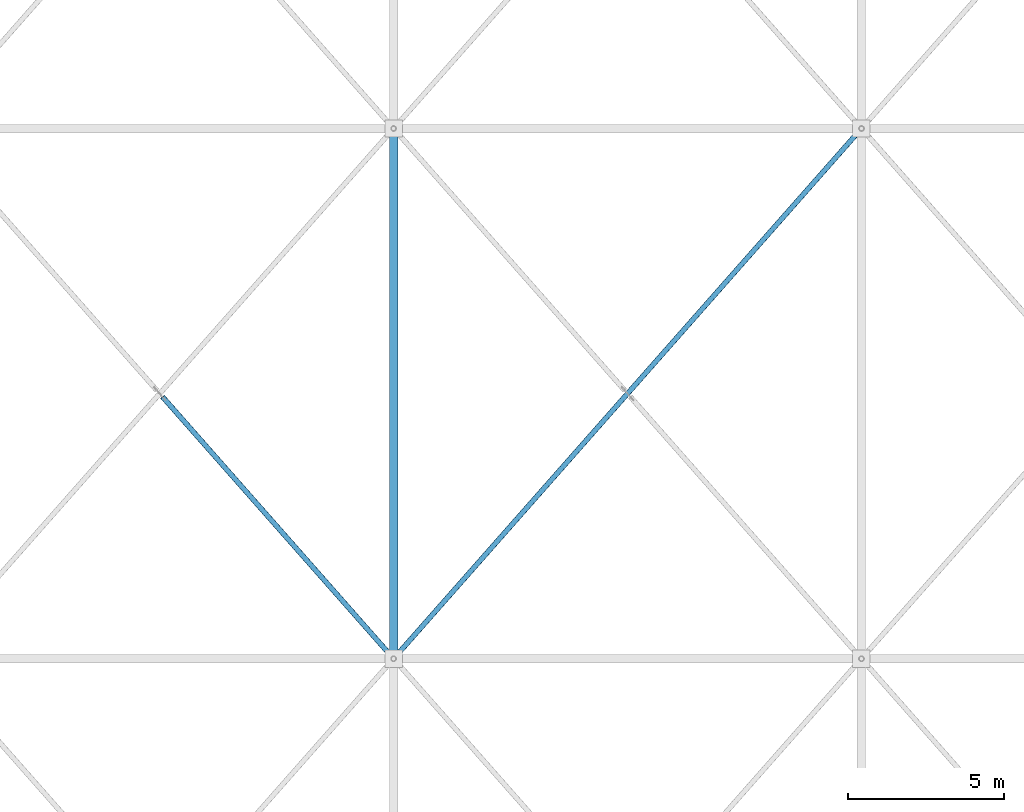
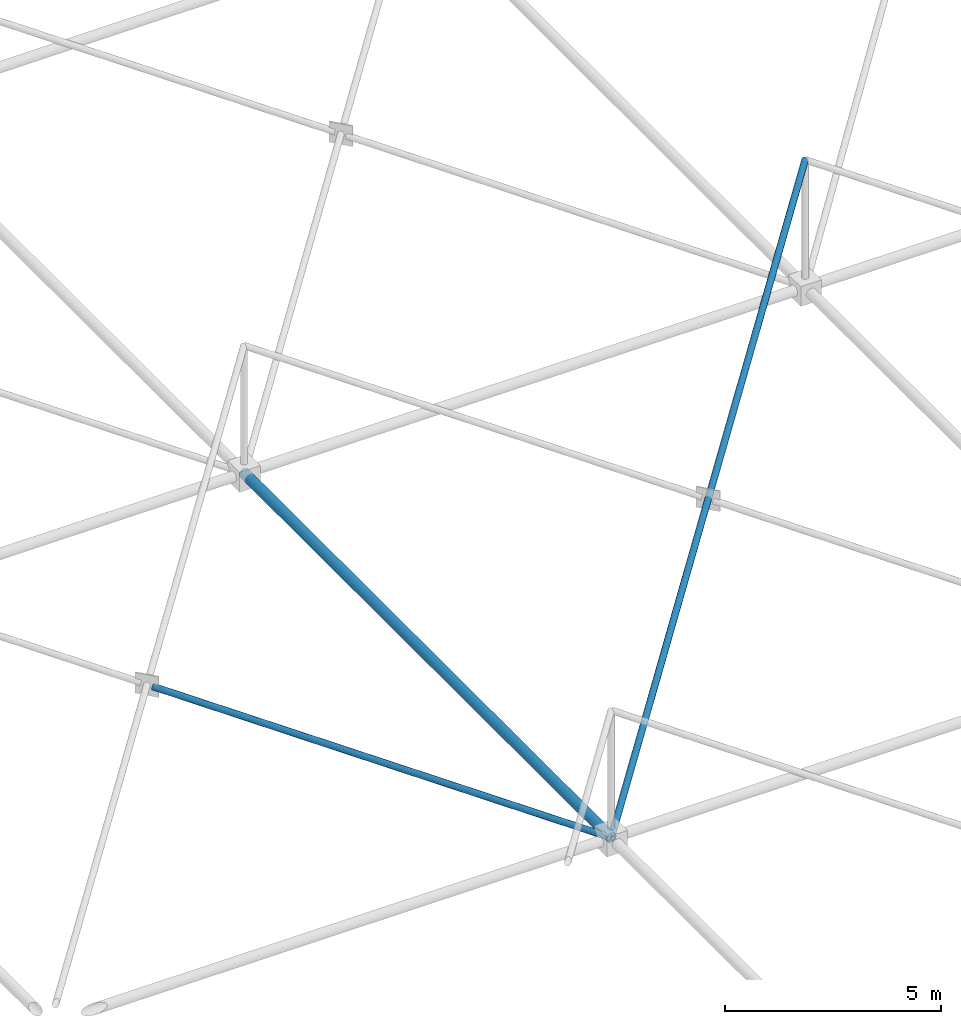
# One storey, part 59 of 224: 3 members.
"""IFC4 building model written with IfcOpenShell, lengths in metres."""

import ifcopenshell
import ifcopenshell.guid

model = None  # the IFC model being written
_history = None  # IfcOwnerHistory: only IFC2X3 demands one
_inside = {}  # id of a spatial element -> (the spatial element, [elements in it])
_under = {}  # id of a project, library or spatial element -> (it, [spatial elements below it])
_declared = {}  # id of a project -> (the project, [libraries it declares])
_typed = {}  # id of a type object -> (the type object, [elements of that type])
_made_of = {}  # id of a material, layer set ... -> (it, [elements and type objects made of it])


def new_model(schema):
    """Start an empty IFC model of exactly this schema.

    Asked for "IFC4X3", IfcOpenShell would pick the latest addendum, in which some entities
    have other attributes; the version numbers below select the first issue.
    IFC2X3 requires an IfcOwnerHistory on every rooted entity: one is made here for all.
    """
    global model, _history
    if schema == "IFC4X3":
        model = ifcopenshell.file(schema_version=(4, 3, 0, 0))
    else:
        model = ifcopenshell.file(schema=schema)
    _inside.clear()
    _under.clear()
    _declared.clear()
    _typed.clear()
    _made_of.clear()
    _history = None
    if model.schema == "IFC2X3":
        org = make("IfcOrganization", Name="unknown")
        user = make(
            "IfcPersonAndOrganization",
            ThePerson=make("IfcPerson", FamilyName="unknown"),
            TheOrganization=org,
        )
        app = make(
            "IfcApplication",
            ApplicationDeveloper=org,
            Version="unknown",
            ApplicationFullName="unknown",
            ApplicationIdentifier="unknown",
        )
        _history = make(
            "IfcOwnerHistory",
            OwningUser=user,
            OwningApplication=app,
            ChangeAction="ADDED",
            CreationDate=0,
        )
    return model


def make(cls, **values):
    """One entity of the class cls with the attributes given. An attribute that is None is left unset."""
    return model.create_entity(
        cls, **{name: value for name, value in values.items() if value is not None}
    )


def rooted(cls, **values):
    """An entity with a GlobalId (a new one), such as an element, a storey or a relation."""
    return make(cls, GlobalId=ifcopenshell.guid.new(), OwnerHistory=_history, **values)


def si_unit(unit_type, name, prefix=None):
    """IfcSIUnit, for example si_unit("LENGTHUNIT", "METRE", prefix="MILLI")."""
    return make("IfcSIUnit", UnitType=unit_type, Prefix=prefix, Name=name)


def assignment(units):
    """IfcUnitAssignment: the units of a project."""
    return None if units is None else make("IfcUnitAssignment", Units=units)


def point(xyz):
    """IfcCartesianPoint."""
    return None if xyz is None else make("IfcCartesianPoint", Coordinates=xyz)


def direction(xyz):
    """IfcDirection."""
    return None if xyz is None else make("IfcDirection", DirectionRatios=xyz)


def frame(location, z_axis=None, x_axis=None):
    """IfcAxis2Placement3D, a coordinate frame: its origin and axes. An axis left out is left unset."""
    return make(
        "IfcAxis2Placement3D",
        Location=point(location),
        Axis=direction(z_axis),
        RefDirection=direction(x_axis),
    )


def frame_2d(location, x_axis=None):
    """IfcAxis2Placement2D, a coordinate frame in the plane: its origin and x axis."""
    return make(
        "IfcAxis2Placement2D", Location=point(location), RefDirection=direction(x_axis)
    )


def origin():
    """The frame at (0, 0, 0) with its axes left unset."""
    return frame((0.0, 0.0, 0.0))


def origin_2d():
    """The frame at (0, 0) in the plane with its x axis left unset."""
    return frame_2d((0.0, 0.0))


def place(relative_to, where):
    """IfcLocalPlacement: puts the frame where relative to a parent placement (None: the world)."""
    return make(
        "IfcLocalPlacement", PlacementRelTo=relative_to, RelativePlacement=where
    )


def context(
    kind, dimensions, precision=None, world=None, true_north=None, identifier=None
):
    """IfcGeometricRepresentationContext, for example the 3D "Model" context."""
    return make(
        "IfcGeometricRepresentationContext",
        ContextIdentifier=identifier,
        ContextType=kind,
        CoordinateSpaceDimension=dimensions,
        Precision=precision,
        WorldCoordinateSystem=world,
        TrueNorth=true_north,
    )


def subcontext(parent, identifier, kind, view, scale=None):
    """IfcGeometricRepresentationSubContext, for example "Body" below "Model"."""
    return make(
        "IfcGeometricRepresentationSubContext",
        ContextIdentifier=identifier,
        ContextType=kind,
        ParentContext=parent,
        TargetScale=scale,
        TargetView=view,
    )


def project(units=None, contexts=None):
    """IfcProject with its units and contexts."""
    return rooted(
        "IfcProject",
        Name="project",
        RepresentationContexts=contexts,
        UnitsInContext=assignment(units),
    )


def spatial(cls, under=None, at=None, **own):
    """A site, building, storey or space (cls), placed at a placement, below another one or the project."""
    s = rooted(cls, ObjectPlacement=at, **own)
    if under is not None:
        _under.setdefault(under.id(), (under, []))[1].append(s)
    return s


def profile(cls, at=None, kind="AREA", **sizes):
    """A parametric profile (cls). Its sizes go by their IFC names, for example OverallWidth=200.0."""
    return make(cls, ProfileType=kind, Position=at, **sizes)


def hollow_circle(**sizes):
    """IfcCircleHollowProfileDef."""
    return profile("IfcCircleHollowProfileDef", **sizes)


def extrude(swept, where, along, depth):
    """IfcExtrudedAreaSolid: the profile swept, set in the frame where, extruded along a direction by depth."""
    return make(
        "IfcExtrudedAreaSolid",
        SweptArea=swept,
        Position=where,
        ExtrudedDirection=direction(along),
        Depth=depth,
    )


def shape(context_of_items, identifier, shape_type, items):
    """IfcShapeRepresentation: the items that make up one representation, for example the "Body"."""
    return make(
        "IfcShapeRepresentation",
        ContextOfItems=context_of_items,
        RepresentationIdentifier=identifier,
        RepresentationType=shape_type,
        Items=items,
    )


def material(Name=None, Category=None):
    """IfcMaterial."""
    return make("IfcMaterial", Name=Name, Category=Category)


def material_profile(
    of_material, cross_section, Name=None, Category=None, Priority=None
):
    """IfcMaterialProfile: a cross section and its material."""
    return make(
        "IfcMaterialProfile",
        Name=Name,
        Material=of_material,
        Profile=cross_section,
        Priority=Priority,
        Category=Category,
    )


def profile_set(profiles, Name=None, composite=None):
    """IfcMaterialProfileSet."""
    return make(
        "IfcMaterialProfileSet",
        Name=Name,
        MaterialProfiles=profiles,
        CompositeProfile=composite,
    )


def made_of(thing, what):
    """Note that an element or type object is made of a material, layer set ...; save() writes the relation."""
    if what is not None:
        _made_of.setdefault(what.id(), (what, []))[1].append(thing)
    return thing


def type_object(cls, material=None, **own):
    """A type object (cls), such as IfcWallType, which elements share."""
    return made_of(rooted(cls, **own), material)


def element(
    cls,
    number,
    at=None,
    inside=None,
    cuts=None,
    type_object=None,
    material=None,
    context=None,
    identifier="Body",
    shape_type=None,
    held_by="IfcProductDefinitionShape",
    body=None,
    shapes=None,
    **own,
):
    """One element of the class cls, such as IfcWall. Its Tag is "e" and its number.

    at: its placement. inside: the storey or other place that contains it. cuts: it is an
    opening in that element (IfcRelVoidsElement). A single representation is given by context,
    identifier, shape_type and body (its items); several are given by shapes. held_by: the class
    of the entity that holds the representations. save() writes the other relations.
    """
    e = rooted(cls, Tag="e%d" % number, ObjectPlacement=at, **own)
    if body is not None:
        shapes = [shape(context, identifier, shape_type, body)]
    if shapes is not None:
        e.Representation = make(held_by, Representations=shapes)
    if inside is not None:
        _inside.setdefault(inside.id(), (inside, []))[1].append(e)
    if cuts is not None:
        rooted(
            "IfcRelVoidsElement", RelatingBuildingElement=cuts, RelatedOpeningElement=e
        )
    if type_object is not None:
        _typed.setdefault(type_object.id(), (type_object, []))[1].append(e)
    return made_of(e, material)


def aggregate(whole, parts):
    """IfcRelAggregates: a whole, such as a stair, and the parts it consists of."""
    return rooted("IfcRelAggregates", RelatingObject=whole, RelatedObjects=parts)


def save(model, path):
    """Write the relations noted so far, then the file.

    IfcRelAggregates (storeys below a building ...), IfcRelContainedInSpatialStructure (elements
    in a storey), IfcRelDefinesByType, IfcRelAssociatesMaterial and IfcRelDeclares: one each for
    every whole, place, type object, material and project.
    """
    for whole, parts in _under.values():
        aggregate(whole, parts)
    for where, things in _inside.values():
        rooted(
            "IfcRelContainedInSpatialStructure",
            RelatedElements=things,
            RelatingStructure=where,
        )
    for kind, things in _typed.values():
        rooted("IfcRelDefinesByType", RelatedObjects=things, RelatingType=kind)
    for what, things in _made_of.values():
        rooted("IfcRelAssociatesMaterial", RelatedObjects=things, RelatingMaterial=what)
    for by, libraries in _declared.values():
        rooted("IfcRelDeclares", RelatingContext=by, RelatedDefinitions=libraries)
    model.write(path)


model = new_model("IFC4")

# Units and contexts
model_context = context("Model", 3, precision=1e-05, world=origin(), true_north=direction((0.0, 1.0)))
body_context = subcontext(model_context, "Body", "Model", "MODEL_VIEW")
ifc_project = project(units=[si_unit("LENGTHUNIT", "METRE"), si_unit("AREAUNIT", "SQUARE_METRE"), si_unit("VOLUMEUNIT", "CUBIC_METRE"), si_unit("PLANEANGLEUNIT", "RADIAN"), si_unit("MASSUNIT", "GRAM", prefix="KILO")], contexts=[model_context])

# Site, building, storey
site_placement = place(None, origin())
site = spatial("IfcSite", under=ifc_project, at=site_placement, CompositionType="ELEMENT")
building_placement = place(site_placement, origin())
building = spatial("IfcBuilding", under=site, at=building_placement, Name="Qamarlyn Nura Convention Centre", CompositionType="ELEMENT")
storey_placement = place(building_placement, frame((0.0, 0.0, 10.800048828125)))
storey = spatial("IfcBuildingStorey", under=building, at=storey_placement, Name="L02", CompositionType="ELEMENT", Elevation=10.800048828125)

# Members
ifc_material = material(Name="Pearl-white PVDF steel ASTM A500 Grade C", Category="steel")
ifc_material_profile_1 = material_profile(ifc_material, hollow_circle(Radius=0.136474609375, WallThickness=0.012451171875, at=origin_2d()), Name="CHS273X12.5")
ifc_profile_set_1 = profile_set([ifc_material_profile_1], Name="Pearl-white PVDF steel ASTM A500 Grade C")
member_type_1 = type_object("IfcMemberType", Name="SF-BC-MAIN", PredefinedType="CHORD", material=ifc_profile_set_1)
member_1_placement = place(storey_placement, frame((75.0, 52.0, 0.800048828125), z_axis=(0.0, 1.0, 0.0), x_axis=(-1.0, 0.0, 0.0)))
element("IfcMember", 1, at=member_1_placement, inside=storey, type_object=member_type_1, Name="ROOF TRUSS space frame bottom chord Y7-4", PredefinedType="CHORD", context=body_context, shape_type="SweptSolid", body=[
    extrude(hollow_circle(Radius=0.136474609375, WallThickness=0.012451171875, at=origin_2d()), origin(), (0.0, 0.0, 1.0), 17.0),
])
ifc_material_profile_2 = material_profile(ifc_material, hollow_circle(Radius=0.084228515625, WallThickness=0.008056640625, at=origin_2d()), Name="CHS168.3X8")
ifc_profile_set_2 = profile_set([ifc_material_profile_2], Name="Pearl-white PVDF steel ASTM A500 Grade C")
member_type_2 = type_object("IfcMemberType", Name="SF-WEB-STD", PredefinedType="BRACE", material=ifc_profile_set_2)
member_2_placement = place(storey_placement, frame((75.0, 52.0, 0.800048828125), z_axis=(-0.653436826791, 0.740561737029, 0.156807611557), x_axis=(-0.749837855365, -0.661621637087, 0.0)))
element("IfcMember", 2, at=member_2_placement, inside=storey, type_object=member_type_2, Name="ROOF TRUSS space frame split diagonal B1 6-4", PredefinedType="BRACE", context=body_context, shape_type="SweptSolid", body=[
    extrude(hollow_circle(Radius=0.084228515625, WallThickness=0.008056640625, at=origin_2d()), origin(), (0.0, 0.0, 1.0), 11.337646484375),
])
member_3_placement = place(storey_placement, frame((75.0, 52.0, 0.800048828125), z_axis=(0.653435715467, 0.74056047753, 0.156818190504), x_axis=(-0.749837855365, 0.661621637087, 0.0)))
element("IfcMember", 3, at=member_3_placement, inside=storey, type_object=member_type_2, Name="ROOF TRUSS space frame diagonal A 7-4", PredefinedType="BRACE", context=body_context, shape_type="SweptSolid", body=[
    extrude(hollow_circle(Radius=0.084228515625, WallThickness=0.008056640625, at=origin_2d()), origin(), (0.0, 0.0, 1.0), 22.95556640625),
])

save(model, "model.ifc")
